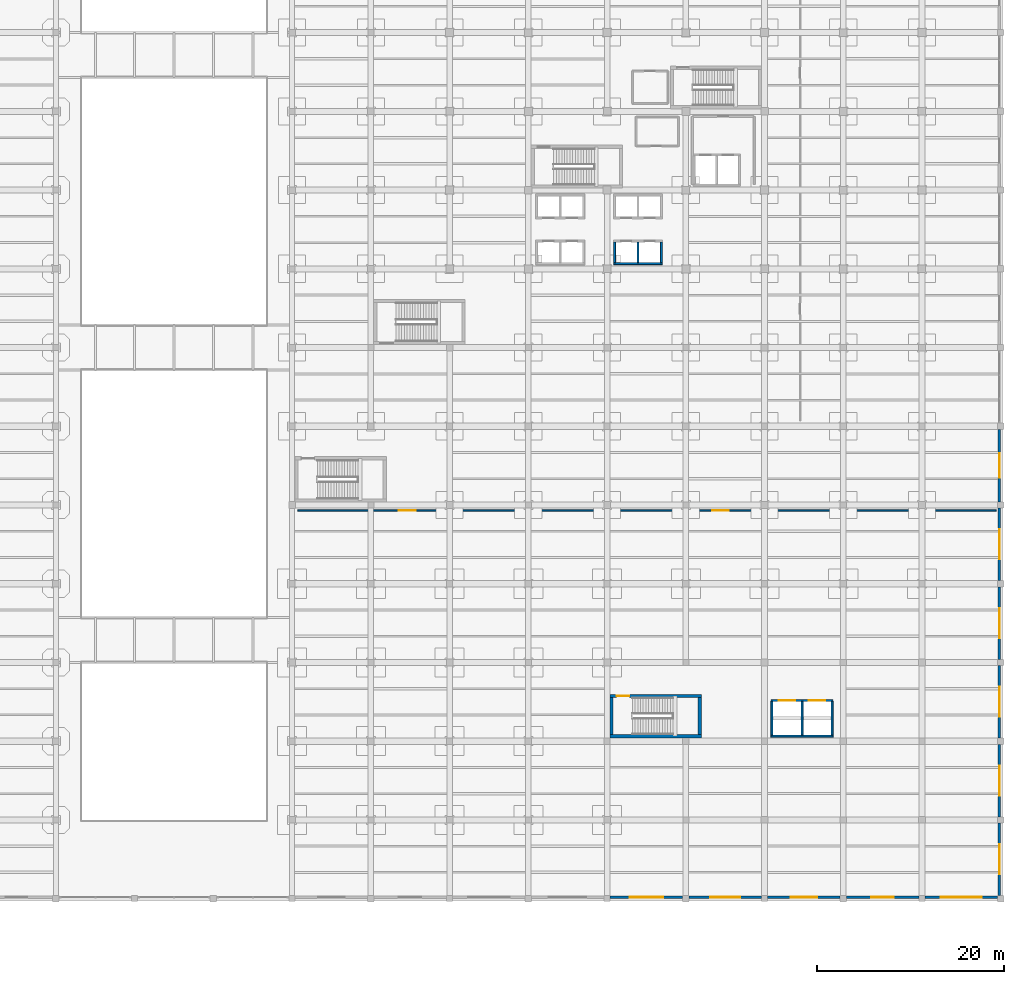
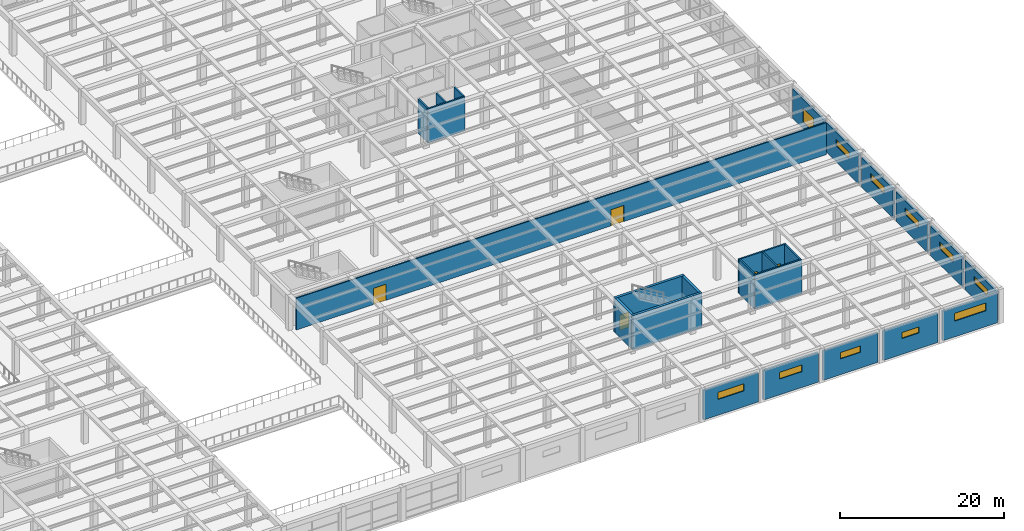
# One storey, part 51 of 65: 25 walls, 11 windows, 5 doors, 16 openings.
"""IFC4 building model written with IfcOpenShell, lengths in metres."""

from ifc_helpers import new_model, si_unit, direction, frame, frame_2d, origin, place, context, subcontext, project, spatial, rectangle, extrude, material, layer, layer_set, type_object, element, fill, save


model = new_model("IFC4")

# Units and contexts
model_context = context("Model", 3, precision=1e-05, world=origin(), true_north=direction((0.0, 1.0)))
body_context = subcontext(model_context, "Body", "Model", "MODEL_VIEW")
ifc_project = project(units=[si_unit("LENGTHUNIT", "METRE"), si_unit("AREAUNIT", "SQUARE_METRE"), si_unit("VOLUMEUNIT", "CUBIC_METRE"), si_unit("PLANEANGLEUNIT", "RADIAN"), si_unit("MASSUNIT", "GRAM", prefix="KILO")], contexts=[model_context])

# Site, building, storey
site_placement = place(None, origin())
site = spatial("IfcSite", under=ifc_project, at=site_placement, CompositionType="ELEMENT")
building_placement = place(site_placement, origin())
building = spatial("IfcBuilding", under=site, at=building_placement, Name="Almacenes y Pasaje Nevantli", CompositionType="ELEMENT")
storey_placement = place(building_placement, frame((0.0, 0.0, 16.800048828125)))
storey = spatial("IfcBuildingStorey", under=building, at=storey_placement, Name="L04", CompositionType="ELEMENT", Elevation=16.800048828125)

# Wall, openings, doors
ifc_material_1 = material(Name="Insulated Double-Gypsum Fire Partition", Category="gypsum")
ifc_layer_1 = layer(ifc_material_1, 0.179931640625)
ifc_layer_set_1 = layer_set([ifc_layer_1], Name="Insulated Double-Gypsum Fire Partition")
wall_type_1 = type_object("IfcWallType", Name="WL-COMP-180", PredefinedType="PARTITIONING", material=ifc_layer_set_1)
wall_1_placement = place(storey_placement, frame((93.0, 41.39990234375, 0.0), z_axis=(0.0, 0.0, 1.0), x_axis=(1.0, 0.0, 0.0)))
wall_1 = element("IfcWall", 1, at=wall_1_placement, inside=storey, type_object=wall_type_1, Name="L04 Interior Partition Wall IW-180 #94", PredefinedType="PARTITIONING", context=body_context, shape_type="SweptSolid", body=[
    extrude(rectangle(XDim=74.5, YDim=0.179931640625, at=frame_2d((37.25, 0.0))), origin(), (0.0, 0.0, 1.0), 4.719970703125),
])
opening_1_placement = place(wall_1_placement, frame((10.800048828125, 0.0, 0.0)))
opening_1 = element("IfcOpeningElement", 2, at=opening_1_placement, cuts=wall_1, Name="Opening ID-L04-046", PredefinedType="OPENING", context=body_context, shape_type="SweptSolid", body=[
    extrude(rectangle(XDim=1.800048828125, YDim=2.39990234375, at=frame_2d((0.89990234375, 1.199951171875))), frame((0.0, 0.099853515625, 0.0), z_axis=(0.0, -1.0, 0.0), x_axis=(1.0, 0.0, 0.0)), (0.0, 0.0, 1.0), 0.199951171875),
])
opening_2_placement = place(wall_1_placement, frame((44.199951171875, 0.0, 0.0)))
opening_2 = element("IfcOpeningElement", 3, at=opening_2_placement, cuts=wall_1, Name="Opening ID-L04-047", PredefinedType="OPENING", context=body_context, shape_type="SweptSolid", body=[
    extrude(rectangle(XDim=1.800048828125, YDim=2.39990234375, at=frame_2d((0.89990234375, 1.199951171875))), frame((0.0, 0.099853515625, 0.0), z_axis=(0.0, -1.0, 0.0), x_axis=(1.0, 0.0, 0.0)), (0.0, 0.0, 1.0), 0.199951171875),
])
ifc_material_2 = material(Name="Galvanized Fire-Rated Steel", Category="steel")
door_type_1 = type_object("IfcDoorType", Name="DR-FD60-1800", OperationType="DOUBLE_DOOR_SINGLE_SWING", PredefinedType="DOOR", material=ifc_material_2)
door_1_placement = place(opening_1_placement, origin())
door_1 = element("IfcDoor", 4, at=door_1_placement, inside=storey, type_object=door_type_1, Name="L04 L04 Commissary Stockroom Door 1", OperationType="DOUBLE_DOOR_SINGLE_SWING", OverallHeight=2.39990234375, OverallWidth=1.800048828125, PredefinedType="DOOR", context=body_context, shape_type="SweptSolid", body=[
    extrude(rectangle(XDim=1.800048828125, YDim=2.39990234375, at=frame_2d((0.89990234375, 1.199951171875))), frame((0.0, 0.02490234375, 0.0), z_axis=(0.0, -1.0, 0.0), x_axis=(1.0, 0.0, 0.0)), (0.0, 0.0, 1.0), 0.050048828125),
])
fill(opening_1, door_1)
door_2_placement = place(opening_2_placement, origin())
door_2 = element("IfcDoor", 5, at=door_2_placement, inside=storey, type_object=door_type_1, Name="L04 L04 Commissary Stockroom Door 2", OperationType="DOUBLE_DOOR_SINGLE_SWING", OverallHeight=2.39990234375, OverallWidth=1.800048828125, PredefinedType="DOOR", context=body_context, shape_type="SweptSolid", body=[
    extrude(rectangle(XDim=1.800048828125, YDim=2.39990234375, at=frame_2d((0.89990234375, 1.199951171875))), frame((0.0, 0.02490234375, 0.0), z_axis=(0.0, -1.0, 0.0), x_axis=(1.0, 0.0, 0.0)), (0.0, 0.0, 1.0), 0.050048828125),
])
fill(opening_2, door_2)

# Wall
ifc_material_3 = material(Name="Concrete C45/55", Category="concrete")
ifc_layer_2 = layer(ifc_material_3, 0.35009765625)
ifc_layer_set_2 = layer_set([ifc_layer_2], Name="Concrete C45/55")
wall_type_2 = type_object("IfcWallType", Name="WL-CORE-350", PredefinedType="SHEAR", material=ifc_layer_set_2)
wall_2_placement = place(storey_placement, frame((126.300048828125, 17.324951171875, 0.0), z_axis=(0.0, 0.0, 1.0), x_axis=(1.0, 0.0, 0.0)))
element("IfcWall", 6, at=wall_2_placement, inside=storey, type_object=wall_type_2, Name="L04 Exit Stair ST-06 South Core Shear Wall", PredefinedType="SHEAR", context=body_context, shape_type="SweptSolid", body=[
    extrude(rectangle(XDim=9.75, YDim=0.35009765625, at=frame_2d((4.875, 0.0))), origin(), (0.0, 0.0, 1.0), 5.099853515625),
])

# Wall, opening, door
wall_3_placement = place(storey_placement, frame((126.300048828125, 21.625, 0.0), z_axis=(0.0, 0.0, 1.0), x_axis=(1.0, 0.0, 0.0)))
wall_3 = element("IfcWall", 7, at=wall_3_placement, inside=storey, type_object=wall_type_2, Name="L04 Exit Stair ST-06 North Core Shear Wall", PredefinedType="SHEAR", context=body_context, shape_type="SweptSolid", body=[
    extrude(rectangle(XDim=9.75, YDim=0.35009765625, at=frame_2d((4.875, 0.0))), origin(), (0.0, 0.0, 1.0), 5.099853515625),
])
opening_3_placement = place(wall_3_placement, frame((0.719970703125, 0.0, 0.0)))
opening_3 = element("IfcOpeningElement", 8, at=opening_3_placement, cuts=wall_3, Name="Opening SD-06-L04", PredefinedType="OPENING", context=body_context, shape_type="SweptSolid", body=[
    extrude(rectangle(XDim=1.35009765625, YDim=2.25, at=frame_2d((0.675048828125, 1.125))), frame((0.0, 0.18505859375, 0.0), z_axis=(0.0, -1.0, 0.0), x_axis=(1.0, 0.0, 0.0)), (0.0, 0.0, 1.0), 0.3701171875),
])
ifc_material_4 = material(Name="Galvanized Fire-Rated Steel", Category="steel")
door_type_2 = type_object("IfcDoorType", Name="DR-STAIR-1350R", OperationType="SINGLE_SWING_RIGHT", PredefinedType="DOOR", material=ifc_material_4)
door_3_placement = place(opening_3_placement, origin())
door_3 = element("IfcDoor", 9, at=door_3_placement, inside=storey, type_object=door_type_2, Name="L04 Smokeproof Exit Stair ST-06 Fire Door", OperationType="SINGLE_SWING_RIGHT", OverallHeight=2.25, OverallWidth=1.35009765625, PredefinedType="DOOR", context=body_context, shape_type="SweptSolid", body=[
    extrude(rectangle(XDim=1.35009765625, YDim=2.25, at=frame_2d((0.675048828125, 1.125))), frame((0.0, 0.02490234375, 0.0), z_axis=(0.0, -1.0, 0.0), x_axis=(1.0, 0.0, 0.0)), (0.0, 0.0, 1.0), 0.050048828125),
])
fill(opening_3, door_3)

# Walls
for number, where, z_axis, x_axis, name in (
    (10, (126.47509765625, 17.5, 0.0), (0.0, 0.0, 1.0), (0.0, 1.0, 0.0), "L04 Exit Stair ST-06 West Core Shear Wall"),
    (11, (135.875, 17.5, 0.0), (0.0, 0.0, 1.0), (0.0, 1.0, 0.0), "L04 Exit Stair ST-06 East Core Shear Wall"),
):
    element("IfcWall", number, at=place(storey_placement, frame(where, z_axis=z_axis, x_axis=x_axis)), inside=storey, type_object=wall_type_2, Name=name, PredefinedType="SHEAR", context=body_context, shape_type="SweptSolid", body=[
        extrude(rectangle(XDim=3.949951171875, YDim=0.35009765625, at=frame_2d((1.97509765625, 0.0))), origin(), (0.0, 0.0, 1.0), 5.099853515625),
    ])

# Wall, opening, window
ifc_material_5 = material(Name="Architectural Precast Concrete C35/45 Spandrel Wall", Category="concrete")
ifc_layer_3 = layer(ifc_material_5, 0.280029296875)
ifc_layer_set_3 = layer_set([ifc_layer_3], Name="Architectural Precast Concrete C35/45 Spandrel Wall")
wall_type_3 = type_object("IfcWallType", Name="WL-EXT-CANTERA-280", PredefinedType="SOLIDWALL", material=ifc_layer_set_3)
wall_4_placement = place(storey_placement, frame((126.327880859375, 0.14990234375, 0.0), z_axis=(0.0, 0.0, 1.0), x_axis=(1.0, 0.0, 0.0)))
wall_4 = element("IfcWall", 12, at=wall_4_placement, inside=storey, type_object=wall_type_3, Name="L04 South Stockroom Clerestory Wall Bay 16", PredefinedType="SOLIDWALL", context=body_context, shape_type="SweptSolid", body=[
    extrude(rectangle(XDim=7.72021484375, YDim=0.280029296875, at=frame_2d((3.860107421875, 0.0))), origin(), (0.0, 0.0, 1.0), 4.3798828125),
])
opening_4_placement = place(wall_4_placement, frame((2.072021484375, 0.0, 2.35009765625)))
opening_4 = element("IfcOpeningElement", 13, at=opening_4_placement, cuts=wall_4, Name="Opening WT-22-154", PredefinedType="OPENING", context=body_context, shape_type="SweptSolid", body=[
    extrude(rectangle(XDim=3.60009765625, YDim=1.050048828125, at=frame_2d((1.800048828125, 0.52490234375))), frame((0.0, 0.14990234375, 0.0), z_axis=(0.0, -1.0, 0.0), x_axis=(1.0, 0.0, 0.0)), (0.0, 0.0, 1.0), 0.300048828125),
])
ifc_material_6 = material(Name="Thermally Broken Aluminium and Low-E Double Glazing", Category="aluminium")
window_type_1 = type_object("IfcWindowType", Name="WN-CLR-3600x1050", PartitioningType="SINGLE_PANEL", PredefinedType="WINDOW", material=ifc_material_6)
window_1_placement = place(opening_4_placement, origin())
window_1 = element("IfcWindow", 14, at=window_1_placement, inside=storey, type_object=window_type_1, Name="L04 Exterior Window WT-22 #154", OverallHeight=1.050048828125, OverallWidth=3.60009765625, PartitioningType="SINGLE_PANEL", PredefinedType="WINDOW", context=body_context, shape_type="SweptSolid", body=[
    extrude(rectangle(XDim=3.60009765625, YDim=1.050048828125, at=frame_2d((1.800048828125, 0.52490234375))), frame((0.0, 0.030029296875, 0.0), z_axis=(0.0, -1.0, 0.0), x_axis=(1.0, 0.0, 0.0)), (0.0, 0.0, 1.0), 0.06005859375),
])
fill(opening_4, window_1)

wall_5_placement = place(storey_placement, frame((134.75390625, 0.14990234375, 0.0), z_axis=(0.0, 0.0, 1.0), x_axis=(1.0, 0.0, 0.0)))
wall_5 = element("IfcWall", 15, at=wall_5_placement, inside=storey, type_object=wall_type_3, Name="L04 South Stockroom Clerestory Wall Bay 17", PredefinedType="SOLIDWALL", context=body_context, shape_type="SweptSolid", body=[
    extrude(rectangle(XDim=7.718017578125, YDim=0.280029296875, at=frame_2d((3.85888671875, 0.0))), origin(), (0.0, 0.0, 1.0), 4.3798828125),
])
opening_5_placement = place(wall_5_placement, frame((2.24609375, 0.0, 2.35009765625)))
opening_5 = element("IfcOpeningElement", 16, at=opening_5_placement, cuts=wall_5, Name="Opening WT-23-155", PredefinedType="OPENING", context=body_context, shape_type="SweptSolid", body=[
    extrude(rectangle(XDim=3.199951171875, YDim=1.0, at=frame_2d((1.60009765625, 0.5))), frame((0.0, 0.14990234375, 0.0), z_axis=(0.0, -1.0, 0.0), x_axis=(1.0, 0.0, 0.0)), (0.0, 0.0, 1.0), 0.300048828125),
])
ifc_material_7 = material(Name="Thermally Broken Aluminium and Low-E Double Glazing", Category="aluminium")
window_type_2 = type_object("IfcWindowType", Name="WN-CLR-3200x1000", PartitioningType="SINGLE_PANEL", PredefinedType="WINDOW", material=ifc_material_7)
window_2_placement = place(opening_5_placement, origin())
window_2 = element("IfcWindow", 17, at=window_2_placement, inside=storey, type_object=window_type_2, Name="L04 Exterior Window WT-23 #155", OverallHeight=1.0, OverallWidth=3.199951171875, PartitioningType="SINGLE_PANEL", PredefinedType="WINDOW", context=body_context, shape_type="SweptSolid", body=[
    extrude(rectangle(XDim=3.199951171875, YDim=1.0, at=frame_2d((1.60009765625, 0.5))), frame((0.0, 0.030029296875, 0.0), z_axis=(0.0, -1.0, 0.0), x_axis=(1.0, 0.0, 0.0)), (0.0, 0.0, 1.0), 0.06005859375),
])
fill(opening_5, window_2)

wall_6_placement = place(storey_placement, frame((143.1279296875, 0.14990234375, 0.0), z_axis=(0.0, 0.0, 1.0), x_axis=(1.0, 0.0, 0.0)))
wall_6 = element("IfcWall", 18, at=wall_6_placement, inside=storey, type_object=wall_type_3, Name="L04 South Stockroom Clerestory Wall Bay 18", PredefinedType="SOLIDWALL", context=body_context, shape_type="SweptSolid", body=[
    extrude(rectangle(XDim=7.718017578125, YDim=0.280029296875, at=frame_2d((3.85888671875, 0.0))), origin(), (0.0, 0.0, 1.0), 4.3798828125),
])
opening_6_placement = place(wall_6_placement, frame((2.471923828125, 0.0, 2.35009765625)))
opening_6 = element("IfcOpeningElement", 19, at=opening_6_placement, cuts=wall_6, Name="Opening WT-24-156", PredefinedType="OPENING", context=body_context, shape_type="SweptSolid", body=[
    extrude(rectangle(XDim=2.800048828125, YDim=0.949951171875, at=frame_2d((1.39990234375, 0.47509765625))), frame((0.0, 0.14990234375, 0.0), z_axis=(0.0, -1.0, 0.0), x_axis=(1.0, 0.0, 0.0)), (0.0, 0.0, 1.0), 0.300048828125),
])
ifc_material_8 = material(Name="Thermally Broken Aluminium and Low-E Double Glazing", Category="aluminium")
window_type_3 = type_object("IfcWindowType", Name="WN-CLR-2800x0950", PartitioningType="SINGLE_PANEL", PredefinedType="WINDOW", material=ifc_material_8)
window_3_placement = place(opening_6_placement, origin())
window_3 = element("IfcWindow", 20, at=window_3_placement, inside=storey, type_object=window_type_3, Name="L04 Exterior Window WT-24 #156", OverallHeight=0.949951171875, OverallWidth=2.800048828125, PartitioningType="SINGLE_PANEL", PredefinedType="WINDOW", context=body_context, shape_type="SweptSolid", body=[
    extrude(rectangle(XDim=2.800048828125, YDim=0.949951171875, at=frame_2d((1.39990234375, 0.47509765625))), frame((0.0, 0.030029296875, 0.0), z_axis=(0.0, -1.0, 0.0), x_axis=(1.0, 0.0, 0.0)), (0.0, 0.0, 1.0), 0.06005859375),
])
fill(opening_6, window_3)

wall_7_placement = place(storey_placement, frame((151.552001953125, 0.14990234375, 0.0), z_axis=(0.0, 0.0, 1.0), x_axis=(1.0, 0.0, 0.0)))
wall_7 = element("IfcWall", 21, at=wall_7_placement, inside=storey, type_object=wall_type_3, Name="L04 South Stockroom Clerestory Wall Bay 19", PredefinedType="SOLIDWALL", context=body_context, shape_type="SweptSolid", body=[
    extrude(rectangle(XDim=7.719970703125, YDim=0.280029296875, at=frame_2d((3.85986328125, 0.0))), origin(), (0.0, 0.0, 1.0), 4.3798828125),
])
opening_7_placement = place(wall_7_placement, frame((2.64794921875, 0.0, 2.35009765625)))
opening_7 = element("IfcOpeningElement", 22, at=opening_7_placement, cuts=wall_7, Name="Opening WT-25-157", PredefinedType="OPENING", context=body_context, shape_type="SweptSolid", body=[
    extrude(rectangle(XDim=2.39990234375, YDim=0.89990234375, at=frame_2d((1.199951171875, 0.449951171875))), frame((0.0, 0.14990234375, 0.0), z_axis=(0.0, -1.0, 0.0), x_axis=(1.0, 0.0, 0.0)), (0.0, 0.0, 1.0), 0.300048828125),
])
ifc_material_9 = material(Name="Thermally Broken Aluminium and Low-E Double Glazing", Category="aluminium")
window_type_4 = type_object("IfcWindowType", Name="WN-CLR-2400x0900", PartitioningType="SINGLE_PANEL", PredefinedType="WINDOW", material=ifc_material_9)
window_4_placement = place(opening_7_placement, origin())
window_4 = element("IfcWindow", 23, at=window_4_placement, inside=storey, type_object=window_type_4, Name="L04 Exterior Window WT-25 #157", OverallHeight=0.89990234375, OverallWidth=2.39990234375, PartitioningType="SINGLE_PANEL", PredefinedType="WINDOW", context=body_context, shape_type="SweptSolid", body=[
    extrude(rectangle(XDim=2.39990234375, YDim=0.89990234375, at=frame_2d((1.199951171875, 0.449951171875))), frame((0.0, 0.030029296875, 0.0), z_axis=(0.0, -1.0, 0.0), x_axis=(1.0, 0.0, 0.0)), (0.0, 0.0, 1.0), 0.06005859375),
])
fill(opening_7, window_4)

wall_8_placement = place(storey_placement, frame((159.927978515625, 0.14990234375, 0.0), z_axis=(0.0, 0.0, 1.0), x_axis=(1.0, 0.0, 0.0)))
wall_8 = element("IfcWall", 24, at=wall_8_placement, inside=storey, type_object=wall_type_3, Name="L04 South Stockroom Clerestory Wall Bay 20", PredefinedType="SOLIDWALL", context=body_context, shape_type="SweptSolid", body=[
    extrude(rectangle(XDim=7.718017578125, YDim=0.280029296875, at=frame_2d((3.85888671875, 0.0))), origin(), (0.0, 0.0, 1.0), 4.3798828125),
])
opening_8_placement = place(wall_8_placement, frame((1.672119140625, 0.0, 2.35009765625)))
opening_8 = element("IfcOpeningElement", 25, at=opening_8_placement, cuts=wall_8, Name="Opening WT-20-158", PredefinedType="OPENING", context=body_context, shape_type="SweptSolid", body=[
    extrude(rectangle(XDim=4.39990234375, YDim=1.14990234375, at=frame_2d((2.199951171875, 0.574951171875))), frame((0.0, 0.14990234375, 0.0), z_axis=(0.0, -1.0, 0.0), x_axis=(1.0, 0.0, 0.0)), (0.0, 0.0, 1.0), 0.300048828125),
])
ifc_material_10 = material(Name="Thermally Broken Aluminium and Low-E Double Glazing", Category="aluminium")
window_type_5 = type_object("IfcWindowType", Name="WN-CLR-4400x1150", PartitioningType="SINGLE_PANEL", PredefinedType="WINDOW", material=ifc_material_10)
window_5_placement = place(opening_8_placement, origin())
window_5 = element("IfcWindow", 26, at=window_5_placement, inside=storey, type_object=window_type_5, Name="L04 Exterior Window WT-20 #158", OverallHeight=1.14990234375, OverallWidth=4.39990234375, PartitioningType="SINGLE_PANEL", PredefinedType="WINDOW", context=body_context, shape_type="SweptSolid", body=[
    extrude(rectangle(XDim=4.39990234375, YDim=1.14990234375, at=frame_2d((2.199951171875, 0.574951171875))), frame((0.0, 0.030029296875, 0.0), z_axis=(0.0, -1.0, 0.0), x_axis=(1.0, 0.0, 0.0)), (0.0, 0.0, 1.0), 0.06005859375),
])
fill(opening_8, window_5)

wall_9_placement = place(storey_placement, frame((167.85009765625, 0.35400390625, 0.0), z_axis=(0.0, 0.0, 1.0), x_axis=(0.0, 1.0, 0.0)))
wall_9 = element("IfcWall", 27, at=wall_9_placement, inside=storey, type_object=wall_type_3, Name="L04 East Facade Wall Bay 1", PredefinedType="SOLIDWALL", context=body_context, shape_type="SweptSolid", body=[
    extrude(rectangle(XDim=7.718017578125, YDim=0.280029296875, at=frame_2d((3.85888671875, 0.0))), origin(), (0.0, 0.0, 1.0), 4.3798828125),
])
opening_9_placement = place(wall_9_placement, frame((2.24609375, 0.0, 2.35009765625)))
opening_9 = element("IfcOpeningElement", 28, at=opening_9_placement, cuts=wall_9, Name="Opening WT-23-164", PredefinedType="OPENING", context=body_context, shape_type="SweptSolid", body=[
    extrude(rectangle(XDim=3.199951171875, YDim=1.0, at=frame_2d((1.60009765625, 0.5))), frame((0.0, 0.14990234375, 0.0), z_axis=(0.0, -1.0, 0.0), x_axis=(1.0, 0.0, 0.0)), (0.0, 0.0, 1.0), 0.300048828125),
])
window_6_placement = place(opening_9_placement, origin())
window_6 = element("IfcWindow", 29, at=window_6_placement, inside=storey, type_object=window_type_2, Name="L04 Exterior Window WT-23 #164", OverallHeight=1.0, OverallWidth=3.199951171875, PartitioningType="SINGLE_PANEL", PredefinedType="WINDOW", context=body_context, shape_type="SweptSolid", body=[
    extrude(rectangle(XDim=3.199951171875, YDim=1.0, at=frame_2d((1.60009765625, 0.5))), frame((0.0, 0.030029296875, 0.0), z_axis=(0.0, -1.0, 0.0), x_axis=(1.0, 0.0, 0.0)), (0.0, 0.0, 1.0), 0.06005859375),
])
fill(opening_9, window_6)

wall_10_placement = place(storey_placement, frame((167.85009765625, 8.72802734375, 0.0), z_axis=(0.0, 0.0, 1.0), x_axis=(0.0, 1.0, 0.0)))
wall_10 = element("IfcWall", 30, at=wall_10_placement, inside=storey, type_object=wall_type_3, Name="L04 East Facade Wall Bay 2", PredefinedType="SOLIDWALL", context=body_context, shape_type="SweptSolid", body=[
    extrude(rectangle(XDim=7.718017578125, YDim=0.280029296875, at=frame_2d((3.85888671875, 0.0))), origin(), (0.0, 0.0, 1.0), 4.3798828125),
])
opening_10_placement = place(wall_10_placement, frame((2.27197265625, 0.0, 2.35009765625)))
opening_10 = element("IfcOpeningElement", 31, at=opening_10_placement, cuts=wall_10, Name="Opening WT-23-165", PredefinedType="OPENING", context=body_context, shape_type="SweptSolid", body=[
    extrude(rectangle(XDim=3.199951171875, YDim=1.0, at=frame_2d((1.60009765625, 0.5))), frame((0.0, 0.14990234375, 0.0), z_axis=(0.0, -1.0, 0.0), x_axis=(1.0, 0.0, 0.0)), (0.0, 0.0, 1.0), 0.300048828125),
])
window_7_placement = place(opening_10_placement, origin())
window_7 = element("IfcWindow", 32, at=window_7_placement, inside=storey, type_object=window_type_2, Name="L04 Exterior Window WT-23 #165", OverallHeight=1.0, OverallWidth=3.199951171875, PartitioningType="SINGLE_PANEL", PredefinedType="WINDOW", context=body_context, shape_type="SweptSolid", body=[
    extrude(rectangle(XDim=3.199951171875, YDim=1.0, at=frame_2d((1.60009765625, 0.5))), frame((0.0, 0.030029296875, 0.0), z_axis=(0.0, -1.0, 0.0), x_axis=(1.0, 0.0, 0.0)), (0.0, 0.0, 1.0), 0.06005859375),
])
fill(opening_10, window_7)

wall_11_placement = place(storey_placement, frame((167.85009765625, 17.154052734375, 0.0), z_axis=(0.0, 0.0, 1.0), x_axis=(0.0, 1.0, 0.0)))
wall_11 = element("IfcWall", 33, at=wall_11_placement, inside=storey, type_object=wall_type_3, Name="L04 East Facade Wall Bay 3", PredefinedType="SOLIDWALL", context=body_context, shape_type="SweptSolid", body=[
    extrude(rectangle(XDim=7.718017578125, YDim=0.280029296875, at=frame_2d((3.85888671875, 0.0))), origin(), (0.0, 0.0, 1.0), 4.3798828125),
])
opening_11_placement = place(wall_11_placement, frame((2.24609375, 0.0, 2.35009765625)))
opening_11 = element("IfcOpeningElement", 34, at=opening_11_placement, cuts=wall_11, Name="Opening WT-23-166", PredefinedType="OPENING", context=body_context, shape_type="SweptSolid", body=[
    extrude(rectangle(XDim=3.199951171875, YDim=1.0, at=frame_2d((1.60009765625, 0.5))), frame((0.0, 0.14990234375, 0.0), z_axis=(0.0, -1.0, 0.0), x_axis=(1.0, 0.0, 0.0)), (0.0, 0.0, 1.0), 0.300048828125),
])
window_8_placement = place(opening_11_placement, origin())
window_8 = element("IfcWindow", 35, at=window_8_placement, inside=storey, type_object=window_type_2, Name="L04 Exterior Window WT-23 #166", OverallHeight=1.0, OverallWidth=3.199951171875, PartitioningType="SINGLE_PANEL", PredefinedType="WINDOW", context=body_context, shape_type="SweptSolid", body=[
    extrude(rectangle(XDim=3.199951171875, YDim=1.0, at=frame_2d((1.60009765625, 0.5))), frame((0.0, 0.030029296875, 0.0), z_axis=(0.0, -1.0, 0.0), x_axis=(1.0, 0.0, 0.0)), (0.0, 0.0, 1.0), 0.06005859375),
])
fill(opening_11, window_8)

wall_12_placement = place(storey_placement, frame((167.85009765625, 25.528076171875, 0.0), z_axis=(0.0, 0.0, 1.0), x_axis=(0.0, 1.0, 0.0)))
wall_12 = element("IfcWall", 36, at=wall_12_placement, inside=storey, type_object=wall_type_3, Name="L04 East Facade Wall Bay 4", PredefinedType="SOLIDWALL", context=body_context, shape_type="SweptSolid", body=[
    extrude(rectangle(XDim=7.719970703125, YDim=0.280029296875, at=frame_2d((3.85986328125, 0.0))), origin(), (0.0, 0.0, 1.0), 4.3798828125),
])
opening_12_placement = place(wall_12_placement, frame((2.27197265625, 0.0, 2.35009765625)))
opening_12 = element("IfcOpeningElement", 37, at=opening_12_placement, cuts=wall_12, Name="Opening WT-23-167", PredefinedType="OPENING", context=body_context, shape_type="SweptSolid", body=[
    extrude(rectangle(XDim=3.199951171875, YDim=1.0, at=frame_2d((1.60009765625, 0.5))), frame((0.0, 0.14990234375, 0.0), z_axis=(0.0, -1.0, 0.0), x_axis=(1.0, 0.0, 0.0)), (0.0, 0.0, 1.0), 0.300048828125),
])
window_9_placement = place(opening_12_placement, origin())
window_9 = element("IfcWindow", 38, at=window_9_placement, inside=storey, type_object=window_type_2, Name="L04 Exterior Window WT-23 #167", OverallHeight=1.0, OverallWidth=3.199951171875, PartitioningType="SINGLE_PANEL", PredefinedType="WINDOW", context=body_context, shape_type="SweptSolid", body=[
    extrude(rectangle(XDim=3.199951171875, YDim=1.0, at=frame_2d((1.60009765625, 0.5))), frame((0.0, 0.030029296875, 0.0), z_axis=(0.0, -1.0, 0.0), x_axis=(1.0, 0.0, 0.0)), (0.0, 0.0, 1.0), 0.06005859375),
])
fill(opening_12, window_9)

wall_13_placement = place(storey_placement, frame((167.85009765625, 33.9541015625, 0.0), z_axis=(0.0, 0.0, 1.0), x_axis=(0.0, 1.0, 0.0)))
wall_13 = element("IfcWall", 39, at=wall_13_placement, inside=storey, type_object=wall_type_3, Name="L04 East Facade Wall Bay 5", PredefinedType="SOLIDWALL", context=body_context, shape_type="SweptSolid", body=[
    extrude(rectangle(XDim=7.718017578125, YDim=0.280029296875, at=frame_2d((3.85888671875, 0.0))), origin(), (0.0, 0.0, 1.0), 4.3798828125),
])
opening_13_placement = place(wall_13_placement, frame((2.24609375, 0.0, 2.35009765625)))
opening_13 = element("IfcOpeningElement", 40, at=opening_13_placement, cuts=wall_13, Name="Opening WT-23-168", PredefinedType="OPENING", context=body_context, shape_type="SweptSolid", body=[
    extrude(rectangle(XDim=3.199951171875, YDim=1.0, at=frame_2d((1.60009765625, 0.5))), frame((0.0, 0.14990234375, 0.0), z_axis=(0.0, -1.0, 0.0), x_axis=(1.0, 0.0, 0.0)), (0.0, 0.0, 1.0), 0.300048828125),
])
window_10_placement = place(opening_13_placement, origin())
window_10 = element("IfcWindow", 41, at=window_10_placement, inside=storey, type_object=window_type_2, Name="L04 Exterior Window WT-23 #168", OverallHeight=1.0, OverallWidth=3.199951171875, PartitioningType="SINGLE_PANEL", PredefinedType="WINDOW", context=body_context, shape_type="SweptSolid", body=[
    extrude(rectangle(XDim=3.199951171875, YDim=1.0, at=frame_2d((1.60009765625, 0.5))), frame((0.0, 0.030029296875, 0.0), z_axis=(0.0, -1.0, 0.0), x_axis=(1.0, 0.0, 0.0)), (0.0, 0.0, 1.0), 0.06005859375),
])
fill(opening_13, window_10)

wall_14_placement = place(storey_placement, frame((167.85009765625, 42.327880859375, 0.0), z_axis=(0.0, 0.0, 1.0), x_axis=(0.0, 1.0, 0.0)))
wall_14 = element("IfcWall", 42, at=wall_14_placement, inside=storey, type_object=wall_type_3, Name="L04 East Facade Wall Bay 6", PredefinedType="SOLIDWALL", context=body_context, shape_type="SweptSolid", body=[
    extrude(rectangle(XDim=7.718017578125, YDim=0.280029296875, at=frame_2d((3.85888671875, 0.0))), origin(), (0.0, 0.0, 1.0), 4.3798828125),
])
opening_14_placement = place(wall_14_placement, frame((2.572021484375, 0.0, 1.0)))
opening_14 = element("IfcOpeningElement", 43, at=opening_14_placement, cuts=wall_14, Name="Opening WT-13-169", PredefinedType="OPENING", context=body_context, shape_type="SweptSolid", body=[
    extrude(rectangle(XDim=2.60009765625, YDim=2.10009765625, at=frame_2d((1.300048828125, 1.050048828125))), frame((0.0, 0.14990234375, 0.0), z_axis=(0.0, -1.0, 0.0), x_axis=(1.0, 0.0, 0.0)), (0.0, 0.0, 1.0), 0.300048828125),
])
ifc_material_11 = material(Name="Thermally Broken Aluminium and Low-E Double Glazing", Category="aluminium")
window_type_6 = type_object("IfcWindowType", Name="WN-POD-2600x2100", PartitioningType="SINGLE_PANEL", PredefinedType="WINDOW", material=ifc_material_11)
window_11_placement = place(opening_14_placement, origin())
window_11 = element("IfcWindow", 44, at=window_11_placement, inside=storey, type_object=window_type_6, Name="L04 Exterior Window WT-13 #169", OverallHeight=2.10009765625, OverallWidth=2.60009765625, PartitioningType="SINGLE_PANEL", PredefinedType="WINDOW", context=body_context, shape_type="SweptSolid", body=[
    extrude(rectangle(XDim=2.60009765625, YDim=2.10009765625, at=frame_2d((1.300048828125, 1.050048828125))), frame((0.0, 0.030029296875, 0.0), z_axis=(0.0, -1.0, 0.0), x_axis=(1.0, 0.0, 0.0)), (0.0, 0.0, 1.0), 0.06005859375),
])
fill(opening_14, window_11)

# Walls
ifc_material_12 = material(Name="Concrete C45/55", Category="concrete")
ifc_layer_4 = layer(ifc_material_12, 0.2099609375)
ifc_layer_set_4 = layer_set([ifc_layer_4], Name="Concrete C45/55")
wall_type_4 = type_object("IfcWallType", Name="WL-SHAFT-210", PredefinedType="SHEAR", material=ifc_layer_set_4)
wall_15_placement = place(storey_placement, frame((126.68994140625, 67.7451171875, 0.0), z_axis=(0.0, 0.0, 1.0), x_axis=(1.0, 0.0, 0.0)))
element("IfcWall", 45, at=wall_15_placement, inside=storey, type_object=wall_type_4, Name="L04 Lift Hoistway ELV-P01-ELV-P02 South Wall", PredefinedType="SHEAR", context=body_context, shape_type="SweptSolid", body=[
    extrude(rectangle(XDim=5.219970703125, YDim=0.2099609375, at=frame_2d((2.60986328125, 0.0))), origin(), (0.0, 0.0, 1.0), 5.099853515625),
])
for number, where, z_axis, x_axis, name in (
    (46, (126.794921875, 67.85009765625, 0.0), (0.0, 0.0, 1.0), (0.0, 1.0, 0.0), "L04 Lift Hoistway ELV-P01 West Wall"),
    (47, (131.804931640625, 67.85009765625, 0.0), (0.0, 0.0, 1.0), (0.0, 1.0, 0.0), "L04 Lift Hoistway ELV-P02 East Wall"),
    (48, (129.300048828125, 67.85009765625, 0.0), (0.0, 0.0, 1.0), (0.0, 1.0, 0.0), "L04 Lift Hoistway Divider Wall ELV-P01/ELV-P02"),
):
    element("IfcWall", number, at=place(storey_placement, frame(where, z_axis=z_axis, x_axis=x_axis)), inside=storey, type_object=wall_type_4, Name=name, PredefinedType="SHEAR", context=body_context, shape_type="SweptSolid", body=[
        extrude(rectangle(XDim=2.199951171875, YDim=0.2099609375, at=frame_2d((1.10009765625, 0.0))), origin(), (0.0, 0.0, 1.0), 5.099853515625),
    ])
wall_16_placement = place(storey_placement, frame((143.489990234375, 17.344970703125, 0.0), z_axis=(0.0, 0.0, 1.0), x_axis=(1.0, 0.0, 0.0)))
element("IfcWall", 49, at=wall_16_placement, inside=storey, type_object=wall_type_4, Name="L04 Lift Hoistway ELV-G01-ELV-G02 South Wall", PredefinedType="SHEAR", context=body_context, shape_type="SweptSolid", body=[
    extrude(rectangle(XDim=6.6201171875, YDim=0.2099609375, at=frame_2d((3.31005859375, 0.0))), origin(), (0.0, 0.0, 1.0), 5.099853515625),
])

# Wall, openings, doors
wall_17_placement = place(storey_placement, frame((143.489990234375, 21.155029296875, 0.0), z_axis=(0.0, 0.0, 1.0), x_axis=(1.0, 0.0, 0.0)))
wall_17 = element("IfcWall", 50, at=wall_17_placement, inside=storey, type_object=wall_type_4, Name="L04 Lift Hoistway ELV-G01-ELV-G02 North Wall", PredefinedType="SHEAR", context=body_context, shape_type="SweptSolid", body=[
    extrude(rectangle(XDim=6.6201171875, YDim=0.2099609375, at=frame_2d((3.31005859375, 0.0))), origin(), (0.0, 0.0, 1.0), 5.099853515625),
])
opening_15_placement = place(wall_17_placement, frame((0.81005859375, 0.0, 0.0)))
opening_15 = element("IfcOpeningElement", 51, at=opening_15_placement, cuts=wall_17, Name="Opening LD-G01-L04", PredefinedType="OPENING", context=body_context, shape_type="SweptSolid", body=[
    extrude(rectangle(XDim=1.800048828125, YDim=2.449951171875, at=frame_2d((0.89990234375, 1.22509765625))), frame((0.0, 0.114990234375, 0.0), z_axis=(0.0, -1.0, 0.0), x_axis=(1.0, 0.0, 0.0)), (0.0, 0.0, 1.0), 0.22998046875),
])
opening_16_placement = place(wall_17_placement, frame((4.010009765625, 0.0, 0.0)))
opening_16 = element("IfcOpeningElement", 52, at=opening_16_placement, cuts=wall_17, Name="Opening LD-G02-L04", PredefinedType="OPENING", context=body_context, shape_type="SweptSolid", body=[
    extrude(rectangle(XDim=1.800048828125, YDim=2.449951171875, at=frame_2d((0.89990234375, 1.22509765625))), frame((0.0, 0.114990234375, 0.0), z_axis=(0.0, -1.0, 0.0), x_axis=(1.0, 0.0, 0.0)), (0.0, 0.0, 1.0), 0.22998046875),
])
ifc_material_13 = material(Name="Heavy-Duty Stainless Steel", Category="steel")
door_type_3 = type_object("IfcDoorType", Name="DR-LD-GOODS-1800", OperationType="DOUBLE_DOOR_SLIDING", PredefinedType="DOOR", material=ifc_material_13)
door_4_placement = place(opening_15_placement, origin())
door_4 = element("IfcDoor", 53, at=door_4_placement, inside=storey, type_object=door_type_3, Name="Lift Landing Door ELV-G01 L04", OperationType="DOUBLE_DOOR_SLIDING", OverallHeight=2.449951171875, OverallWidth=1.800048828125, PredefinedType="DOOR", context=body_context, shape_type="SweptSolid", body=[
    extrude(rectangle(XDim=1.800048828125, YDim=2.449951171875, at=frame_2d((0.89990234375, 1.22509765625))), frame((0.0, 0.02490234375, 0.0), z_axis=(0.0, -1.0, 0.0), x_axis=(1.0, 0.0, 0.0)), (0.0, 0.0, 1.0), 0.050048828125),
])
fill(opening_15, door_4)
door_5_placement = place(opening_16_placement, origin())
door_5 = element("IfcDoor", 54, at=door_5_placement, inside=storey, type_object=door_type_3, Name="Lift Landing Door ELV-G02 L04", OperationType="DOUBLE_DOOR_SLIDING", OverallHeight=2.449951171875, OverallWidth=1.800048828125, PredefinedType="DOOR", context=body_context, shape_type="SweptSolid", body=[
    extrude(rectangle(XDim=1.800048828125, YDim=2.449951171875, at=frame_2d((0.89990234375, 1.22509765625))), frame((0.0, 0.02490234375, 0.0), z_axis=(0.0, -1.0, 0.0), x_axis=(1.0, 0.0, 0.0)), (0.0, 0.0, 1.0), 0.050048828125),
])
fill(opening_16, door_5)

# Walls
for number, where, z_axis, x_axis, name in (
    (55, (143.594970703125, 17.449951171875, 0.0), (0.0, 0.0, 1.0), (0.0, 1.0, 0.0), "L04 Lift Hoistway ELV-G01 West Wall"),
    (56, (150.0048828125, 17.449951171875, 0.0), (0.0, 0.0, 1.0), (0.0, 1.0, 0.0), "L04 Lift Hoistway ELV-G02 East Wall"),
    (57, (146.800048828125, 17.449951171875, 0.0), (0.0, 0.0, 1.0), (0.0, 1.0, 0.0), "L04 Lift Hoistway Divider Wall ELV-G01/ELV-G02"),
):
    element("IfcWall", number, at=place(storey_placement, frame(where, z_axis=z_axis, x_axis=x_axis)), inside=storey, type_object=wall_type_4, Name=name, PredefinedType="SHEAR", context=body_context, shape_type="SweptSolid", body=[
        extrude(rectangle(XDim=3.60009765625, YDim=0.2099609375, at=frame_2d((1.800048828125, 0.0))), origin(), (0.0, 0.0, 1.0), 5.099853515625),
    ])

save(model, "model.ifc")
